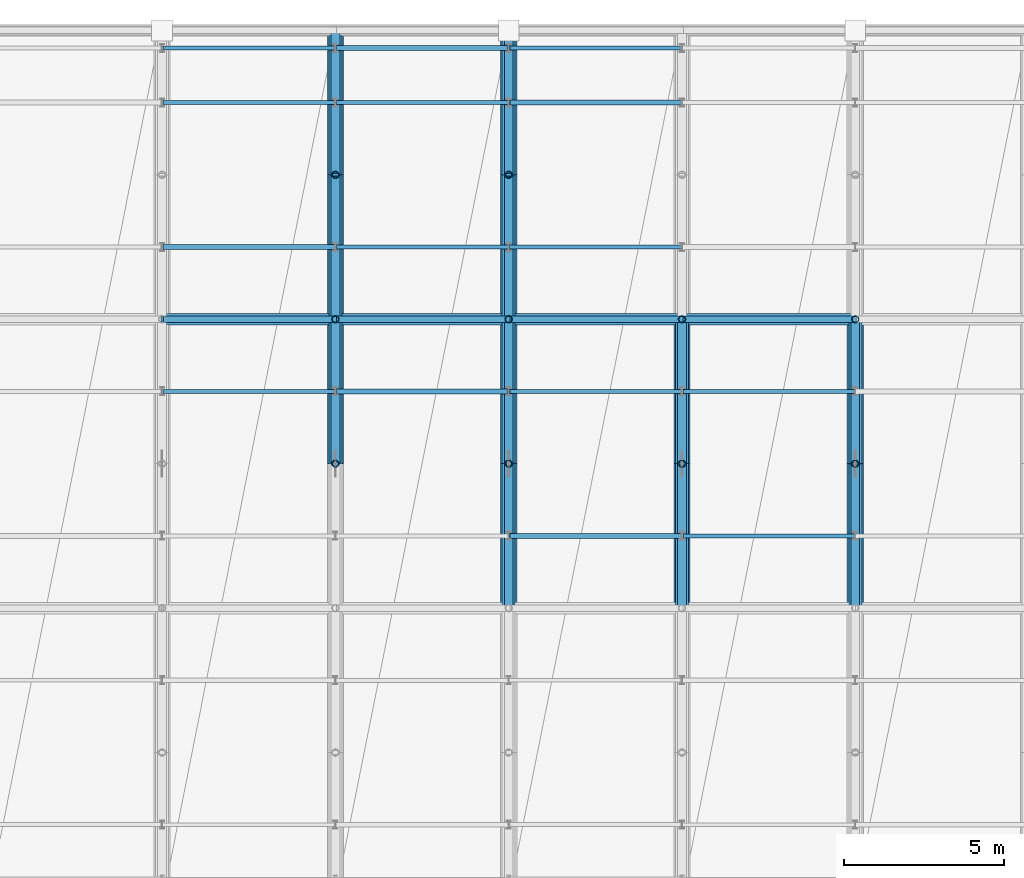
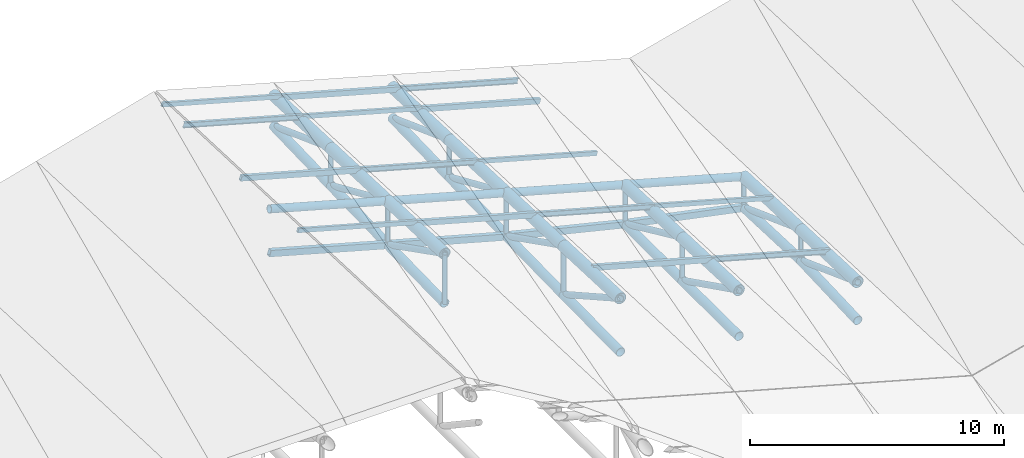
# One storey, part 26 of 109: 44 members, 22 beams.
"""IFC4 building model written with IfcOpenShell, lengths in metres."""

from ifc_helpers import new_model, si_unit, direction, frame, origin, origin_2d, place, context, subcontext, project, spatial, hollow_rectangle, hollow_circle, i_section, extrude, material, material_profile, profile_set, type_object, element, save


model = new_model("IFC4")

# Units and contexts
model_context = context("Model", 3, precision=1e-05, world=origin(), true_north=direction((0.0, 1.0)))
body_context = subcontext(model_context, "Body", "Model", "MODEL_VIEW")
ifc_project = project(units=[si_unit("LENGTHUNIT", "METRE"), si_unit("AREAUNIT", "SQUARE_METRE"), si_unit("VOLUMEUNIT", "CUBIC_METRE"), si_unit("PLANEANGLEUNIT", "RADIAN"), si_unit("MASSUNIT", "GRAM", prefix="KILO")], contexts=[model_context])

# Site, building, storey
site_placement = place(None, origin())
site = spatial("IfcSite", under=ifc_project, at=site_placement, CompositionType="ELEMENT")
building_placement = place(site_placement, origin())
building = spatial("IfcBuilding", under=site, at=building_placement, Name="Suirenkawa Promenade Aquatics Centre", CompositionType="ELEMENT")
storey_placement = place(building_placement, frame((0.0, 0.0, 22.800048828125)))
storey = spatial("IfcBuildingStorey", under=building, at=storey_placement, Name="ROOF", CompositionType="ELEMENT", Elevation=22.800048828125)

# Beams
ifc_material = material(Name="Steel IS 2062 E350 (Grade 350)", Category="steel")
ifc_material_profile_1 = material_profile(ifc_material, hollow_circle(Radius=0.202880859375, WallThickness=0.01806640625, at=origin_2d()), Name="CHS 406x18", Category="steel")
ifc_profile_set_1 = profile_set([ifc_material_profile_1], Name="Steel IS 2062 E350 (Grade 350)")
beam_type_1 = type_object("IfcBeamType", Name="BT-BC-CHS406", PredefinedType="BEAM", material=ifc_profile_set_1)
beam_1_placement = place(storey_placement, frame((73.800048828125, 108.89990234375, -7.630126953125), z_axis=(0.0, 0.999766955215, 0.021587849836), x_axis=(-1.0, 0.0, 0.0)))
element("IfcBeam", 1, at=beam_1_placement, inside=storey, type_object=beam_type_1, Name="ROOF TRUSS V1 bottom chord BC-01 BM-1970", PredefinedType="BEAM", context=body_context, shape_type="SweptSolid", body=[
    extrude(hollow_circle(Radius=0.202880859375, WallThickness=0.01806640625, at=origin_2d()), origin(), (0.0, 0.0, 1.0), 4.5009765625),
])
beam_2_placement = place(storey_placement, frame((73.800048828125, 113.39990234375, -7.532958984375), z_axis=(0.0, 0.999645385078, 0.026629008468), x_axis=(-1.0, 0.0, 0.0)))
element("IfcBeam", 2, at=beam_2_placement, inside=storey, type_object=beam_type_1, Name="ROOF TRUSS V1 bottom chord BC-01 BM-1972", PredefinedType="BEAM", context=body_context, shape_type="SweptSolid", body=[
    extrude(hollow_circle(Radius=0.202880859375, WallThickness=0.01806640625, at=origin_2d()), origin(), (0.0, 0.0, 1.0), 4.501708984375),
])
beam_3_placement = place(storey_placement, frame((73.800048828125, 117.89990234375, -7.4130859375), z_axis=(0.0, 0.999563148904, 0.029555225486), x_axis=(-1.0, 0.0, 0.0)))
element("IfcBeam", 3, at=beam_3_placement, inside=storey, type_object=beam_type_1, Name="ROOF TRUSS V1 bottom chord BC-01 BM-1974", PredefinedType="BEAM", context=body_context, shape_type="SweptSolid", body=[
    extrude(hollow_circle(Radius=0.202880859375, WallThickness=0.01806640625, at=origin_2d()), origin(), (0.0, 0.0, 1.0), 4.501953125),
])
beam_4_placement = place(storey_placement, frame((79.199951171875, 104.39990234375, -9.154052734375), z_axis=(0.0, 0.99992550252, 0.012206121857), x_axis=(-1.0, 0.0, 0.0)))
element("IfcBeam", 4, at=beam_4_placement, inside=storey, type_object=beam_type_1, Name="ROOF TRUSS V1 bottom chord BC-01 BM-1996", PredefinedType="BEAM", context=body_context, shape_type="SweptSolid", body=[
    extrude(hollow_circle(Radius=0.202880859375, WallThickness=0.01806640625, at=origin_2d()), origin(), (0.0, 0.0, 1.0), 4.500244140625),
])
beam_5_placement = place(storey_placement, frame((79.199951171875, 108.89990234375, -9.09912109375), z_axis=(0.0, 0.999812483562, 0.019364857673), x_axis=(-1.0, 0.0, 0.0)))
element("IfcBeam", 5, at=beam_5_placement, inside=storey, type_object=beam_type_1, Name="ROOF TRUSS V1 bottom chord BC-01 BM-1998", PredefinedType="BEAM", context=body_context, shape_type="SweptSolid", body=[
    extrude(hollow_circle(Radius=0.202880859375, WallThickness=0.01806640625, at=origin_2d()), origin(), (0.0, 0.0, 1.0), 4.500732421875),
])
beam_6_placement = place(storey_placement, frame((79.199951171875, 113.39990234375, -9.011962890625), z_axis=(0.0, 0.999702109937, 0.024406789793), x_axis=(-1.0, 0.0, 0.0)))
element("IfcBeam", 6, at=beam_6_placement, inside=storey, type_object=beam_type_1, Name="ROOF TRUSS V1 bottom chord BC-01 BM-2000", PredefinedType="BEAM", context=body_context, shape_type="SweptSolid", body=[
    extrude(hollow_circle(Radius=0.202880859375, WallThickness=0.01806640625, at=origin_2d()), origin(), (0.0, 0.0, 1.0), 4.501220703125),
])
beam_7_placement = place(storey_placement, frame((79.199951171875, 117.89990234375, -8.902099609375), z_axis=(0.0, 0.999632273028, 0.027116760879), x_axis=(-1.0, 0.0, 0.0)))
element("IfcBeam", 7, at=beam_7_placement, inside=storey, type_object=beam_type_1, Name="ROOF TRUSS V1 bottom chord BC-01 BM-2002", PredefinedType="BEAM", context=body_context, shape_type="SweptSolid", body=[
    extrude(hollow_circle(Radius=0.202880859375, WallThickness=0.01806640625, at=origin_2d()), origin(), (0.0, 0.0, 1.0), 4.501708984375),
])
for number, where, z_axis, x_axis, name in (
    (8, (84.60009765625, 104.39990234375, -10.281982421875), (0.0, 0.999983150708, -0.005805023716), (-1.0, 0.0, 0.0), "ROOF TRUSS V1 bottom chord BC-01 BM-2024"),
    (9, (84.60009765625, 108.89990234375, -10.30810546875), (0.0, 0.999999788072, -0.000651041529), (-1.0, 0.0, 0.0), "ROOF TRUSS V1 bottom chord BC-01 BM-2026"),
):
    element("IfcBeam", number, at=place(storey_placement, frame(where, z_axis=z_axis, x_axis=x_axis)), inside=storey, type_object=beam_type_1, Name=name, PredefinedType="BEAM", context=body_context, shape_type="SweptSolid", body=[
        extrude(hollow_circle(Radius=0.202880859375, WallThickness=0.01806640625, at=origin_2d()), origin(), (0.0, 0.0, 1.0), 4.5),
    ])
for number, where, z_axis, x_axis, name in (
    (10, (90.0, 104.39990234375, -11.4111328125), (0.0, 0.999190707649, 0.040223497454), (-1.0, 0.0, 0.0), "ROOF TRUSS V1 bottom chord BC-01 BM-2052"),
    (11, (90.0, 108.89990234375, -11.22998046875), (0.0, 0.999173184279, -0.040656460949), (-1.0, 0.0, 0.0), "ROOF TRUSS V1 bottom chord BC-01 BM-2054"),
):
    element("IfcBeam", number, at=place(storey_placement, frame(where, z_axis=z_axis, x_axis=x_axis)), inside=storey, type_object=beam_type_1, Name=name, PredefinedType="BEAM", context=body_context, shape_type="SweptSolid", body=[
        extrude(hollow_circle(Radius=0.202880859375, WallThickness=0.01806640625, at=origin_2d()), origin(), (0.0, 0.0, 1.0), 4.503662109375),
    ])
ifc_material_profile_2 = material_profile(ifc_material, hollow_circle(Radius=0.25390625, WallThickness=0.02392578125, at=origin_2d()), Name="CHS 508x24", Category="steel")
ifc_profile_set_2 = profile_set([ifc_material_profile_2], Name="Steel IS 2062 E350 (Grade 350)")
beam_type_2 = type_object("IfcBeamType", Name="BT-TC-CHS508", PredefinedType="BEAM", material=ifc_profile_set_2)
for number, where, z_axis, x_axis, name in (
    (12, (73.800048828125, 108.89990234375, -5.25), (0.0, 0.999173184279, -0.040656460949), (-1.0, 0.0, 0.0), "ROOF TRUSS V1 top chord TC-02 BM-1969"),
    (13, (73.800048828125, 113.39990234375, -5.43310546875), (0.0, 0.999166564808, -0.040818816368), (-1.0, 0.0, 0.0), "ROOF TRUSS V1 top chord TC-02 BM-1971"),
    (14, (73.800048828125, 117.89990234375, -5.616943359375), (0.0, 0.999173184279, -0.040656460949), (-1.0, 0.0, 0.0), "ROOF TRUSS V1 top chord TC-02 BM-1973"),
    (15, (79.199951171875, 104.39990234375, -6.567138671875), (0.0, 0.999175384927, -0.040602341759), (-1.0, 0.0, 0.0), "ROOF TRUSS V1 top chord TC-02 BM-1995"),
    (16, (79.199951171875, 108.89990234375, -6.75), (0.0, 0.999173184279, -0.040656460949), (-1.0, 0.0, 0.0), "ROOF TRUSS V1 top chord TC-02 BM-1997"),
    (17, (79.199951171875, 113.39990234375, -6.93310546875), (0.0, 0.999166564808, -0.040818816368), (-1.0, 0.0, 0.0), "ROOF TRUSS V1 top chord TC-02 BM-1999"),
    (18, (79.199951171875, 117.89990234375, -7.116943359375), (0.0, 0.999173184279, -0.040656460949), (-1.0, 0.0, 0.0), "ROOF TRUSS V1 top chord TC-02 BM-2001"),
    (19, (84.60009765625, 104.39990234375, -8.067138671875), (0.0, 0.999175384927, -0.040602341759), (-1.0, 0.0, 0.0), "ROOF TRUSS V1 top chord TC-02 BM-2023"),
    (20, (84.60009765625, 108.89990234375, -8.25), (0.0, 0.999173184279, -0.040656460949), (-1.0, 0.0, 0.0), "ROOF TRUSS V1 top chord TC-02 BM-2025"),
    (21, (90.0, 104.39990234375, -9.567138671875), (0.0, 0.999175384927, -0.040602341759), (-1.0, 0.0, 0.0), "ROOF TRUSS V1 top chord TC-02 BM-2051"),
    (22, (90.0, 108.89990234375, -9.75), (0.0, 0.999173184279, -0.040656460949), (-1.0, 0.0, 0.0), "ROOF TRUSS V1 top chord TC-02 BM-2053"),
):
    element("IfcBeam", number, at=place(storey_placement, frame(where, z_axis=z_axis, x_axis=x_axis)), inside=storey, type_object=beam_type_2, Name=name, PredefinedType="BEAM", context=body_context, shape_type="SweptSolid", body=[
        extrude(hollow_circle(Radius=0.25390625, WallThickness=0.02392578125, at=origin_2d()), origin(), (0.0, 0.0, 1.0), 4.503662109375),
    ])

# Members
ifc_material_profile_3 = material_profile(ifc_material, hollow_circle(Radius=0.177978515625, WallThickness=0.01611328125, at=origin_2d()), Name="CHS 356x16", Category="steel")
ifc_profile_set_3 = profile_set([ifc_material_profile_3], Name="Steel IS 2062 E350 (Grade 350)")
member_type_1 = type_object("IfcMemberType", Name="MT-CHORD-CHS356", PredefinedType="CHORD", material=ifc_profile_set_3)
member_1_placement = place(storey_placement, frame((68.39990234375, 113.39990234375, -3.93310546875), z_axis=(0.963519781844, 0.0, -0.267637123724), x_axis=(0.0, 1.0, 0.0)))
element("IfcMember", 23, at=member_1_placement, inside=storey, type_object=member_type_1, Name="ROOF TRUSS V1 tie chord CH-02 MB-0896", PredefinedType="CHORD", context=body_context, shape_type="SweptSolid", body=[
    extrude(hollow_circle(Radius=0.177978515625, WallThickness=0.01611328125, at=origin_2d()), origin(), (0.0, 0.0, 1.0), 5.6044921875),
])
member_2_placement = place(storey_placement, frame((73.800048828125, 113.39990234375, -5.43310546875), z_axis=(0.963516661409, 0.0, -0.267648357342), x_axis=(0.0, 1.0, 0.0)))
element("IfcMember", 24, at=member_2_placement, inside=storey, type_object=member_type_1, Name="ROOF TRUSS V1 tie chord CH-02 MB-0898", PredefinedType="CHORD", context=body_context, shape_type="SweptSolid", body=[
    extrude(hollow_circle(Radius=0.177978515625, WallThickness=0.01611328125, at=origin_2d()), origin(), (0.0, 0.0, 1.0), 5.604248046875),
])
member_3_placement = place(storey_placement, frame((79.199951171875, 113.39990234375, -6.93310546875), z_axis=(0.963519781844, 0.0, -0.267637123724), x_axis=(0.0, 1.0, 0.0)))
element("IfcMember", 25, at=member_3_placement, inside=storey, type_object=member_type_1, Name="ROOF TRUSS V1 tie chord CH-02 MB-0900", PredefinedType="CHORD", context=body_context, shape_type="SweptSolid", body=[
    extrude(hollow_circle(Radius=0.177978515625, WallThickness=0.01611328125, at=origin_2d()), origin(), (0.0, 0.0, 1.0), 5.6044921875),
])
member_4_placement = place(storey_placement, frame((84.60009765625, 113.39990234375, -8.43310546875), z_axis=(0.963516661409, 0.0, -0.267648357342), x_axis=(0.0, 1.0, 0.0)))
element("IfcMember", 26, at=member_4_placement, inside=storey, type_object=member_type_1, Name="ROOF TRUSS V1 tie chord CH-02 MB-0902", PredefinedType="CHORD", context=body_context, shape_type="SweptSolid", body=[
    extrude(hollow_circle(Radius=0.177978515625, WallThickness=0.01611328125, at=origin_2d()), origin(), (0.0, 0.0, 1.0), 5.604248046875),
])
ifc_material_profile_4 = material_profile(ifc_material, hollow_rectangle(XDim=0.199951171875, YDim=0.300048828125, WallThickness=0.011962890625, at=origin_2d()), Name="RHS 300x200x12", Category="steel")
ifc_profile_set_4 = profile_set([ifc_material_profile_4], Name="Steel IS 2062 E350 (Grade 350)")
member_type_2 = type_object("IfcMemberType", Name="MT-CHORD-RHS300", PredefinedType="CHORD", material=ifc_profile_set_4)
member_5_placement = place(storey_placement, frame((68.39990234375, 113.39990234375, -6.032958984375), z_axis=(0.963519781844, 0.0, -0.267637123724), x_axis=(0.0, 1.0, 0.0)))
element("IfcMember", 27, at=member_5_placement, inside=storey, type_object=member_type_2, Name="ROOF TRUSS V1 bottom tie CH-03 MB-0897", PredefinedType="CHORD", context=body_context, shape_type="SweptSolid", body=[
    extrude(hollow_rectangle(XDim=0.199951171875, YDim=0.300048828125, WallThickness=0.011962890625, at=origin_2d()), origin(), (0.0, 0.0, 1.0), 5.6044921875),
])
member_6_placement = place(storey_placement, frame((73.800048828125, 113.39990234375, -7.532958984375), z_axis=(0.96447746515, 0.0, -0.264165136264), x_axis=(0.0, 1.0, 0.0)))
element("IfcMember", 28, at=member_6_placement, inside=storey, type_object=member_type_2, Name="ROOF TRUSS V1 bottom tie CH-03 MB-0899", PredefinedType="CHORD", context=body_context, shape_type="SweptSolid", body=[
    extrude(hollow_rectangle(XDim=0.199951171875, YDim=0.300048828125, WallThickness=0.011962890625, at=origin_2d()), origin(), (0.0, 0.0, 1.0), 5.598876953125),
])
member_7_placement = place(storey_placement, frame((79.199951171875, 113.39990234375, -9.011962890625), z_axis=(0.972263076896, 0.0, -0.233889951271), x_axis=(0.0, 1.0, 0.0)))
element("IfcMember", 29, at=member_7_placement, inside=storey, type_object=member_type_2, Name="ROOF TRUSS V1 bottom tie CH-03 MB-0901", PredefinedType="CHORD", context=body_context, shape_type="SweptSolid", body=[
    extrude(hollow_rectangle(XDim=0.199951171875, YDim=0.300048828125, WallThickness=0.011962890625, at=origin_2d()), origin(), (0.0, 0.0, 1.0), 5.55419921875),
])
member_8_placement = place(storey_placement, frame((84.60009765625, 113.39990234375, -10.31103515625), z_axis=(0.979802996018, 0.0, -0.19996521946), x_axis=(0.0, 1.0, 0.0)))
element("IfcMember", 30, at=member_8_placement, inside=storey, type_object=member_type_2, Name="ROOF TRUSS V1 bottom tie CH-03 MB-0903", PredefinedType="CHORD", context=body_context, shape_type="SweptSolid", body=[
    extrude(hollow_rectangle(XDim=0.199951171875, YDim=0.300048828125, WallThickness=0.011962890625, at=origin_2d()), origin(), (0.0, 0.0, 1.0), 5.51123046875),
])
ifc_material_profile_5 = material_profile(ifc_material, i_section(OverallWidth=0.125, OverallDepth=0.25, WebThickness=0.007080078125, FlangeThickness=0.012939453125, at=origin_2d()), Name="ISMB 250", Category="steel")
ifc_profile_set_5 = profile_set([ifc_material_profile_5], Name="Steel IS 2062 E350 (Grade 350)")
member_type_3 = type_object("IfcMemberType", Name="MT-PURLIN-ISMB250", PredefinedType="PURLIN", material=ifc_profile_set_5)
member_9_placement = place(storey_placement, frame((68.39990234375, 120.14990234375, -3.97998046875), z_axis=(0.963519781844, 0.0, -0.267637123724), x_axis=(0.0, 1.0, 0.0)))
element("IfcMember", 31, at=member_9_placement, inside=storey, type_object=member_type_3, Name="ROOF TRUSS Roof purlin PU-04 MB-1863", PredefinedType="PURLIN", context=body_context, shape_type="SweptSolid", body=[
    extrude(i_section(OverallWidth=0.125, OverallDepth=0.25, WebThickness=0.007080078125, FlangeThickness=0.012939453125, at=origin_2d()), origin(), (0.0, 0.0, 1.0), 5.6044921875),
])
member_10_placement = place(storey_placement, frame((73.800048828125, 115.64990234375, -5.297119140625), z_axis=(0.963516661409, 0.0, -0.267648357342), x_axis=(0.0, 1.0, 0.0)))
element("IfcMember", 32, at=member_10_placement, inside=storey, type_object=member_type_3, Name="ROOF TRUSS Roof purlin PU-04 MB-1897", PredefinedType="PURLIN", context=body_context, shape_type="SweptSolid", body=[
    extrude(i_section(OverallWidth=0.125, OverallDepth=0.25, WebThickness=0.007080078125, FlangeThickness=0.012939453125, at=origin_2d()), origin(), (0.0, 0.0, 1.0), 5.604248046875),
])
for number, where, z_axis, x_axis, name in (
    (33, (79.199951171875, 111.14990234375, -6.613037109375), (0.963519781844, 0.0, -0.267637123724), (0.0, 1.0, 0.0), "ROOF TRUSS Roof purlin PU-04 MB-1931"),
    (34, (79.199951171875, 121.85009765625, -7.049072265625), (0.963519781844, 0.0, -0.267637123724), (0.0, 1.0, 0.0), "ROOF TRUSS Roof purlin PU-04 MB-1937"),
):
    element("IfcMember", number, at=place(storey_placement, frame(where, z_axis=z_axis, x_axis=x_axis)), inside=storey, type_object=member_type_3, Name=name, PredefinedType="PURLIN", context=body_context, shape_type="SweptSolid", body=[
        extrude(i_section(OverallWidth=0.125, OverallDepth=0.25, WebThickness=0.007080078125, FlangeThickness=0.012939453125, at=origin_2d()), origin(), (0.0, 0.0, 1.0), 5.6044921875),
    ])
member_11_placement = place(storey_placement, frame((84.60009765625, 106.64990234375, -7.929931640625), z_axis=(0.963516661409, 0.0, -0.267648357342), x_axis=(0.0, 1.0, 0.0)))
element("IfcMember", 35, at=member_11_placement, inside=storey, type_object=member_type_3, Name="ROOF TRUSS Roof purlin PU-04 MB-1965", PredefinedType="PURLIN", context=body_context, shape_type="SweptSolid", body=[
    extrude(i_section(OverallWidth=0.125, OverallDepth=0.25, WebThickness=0.007080078125, FlangeThickness=0.012939453125, at=origin_2d()), origin(), (0.0, 0.0, 1.0), 5.604248046875),
])
ifc_material_profile_6 = material_profile(ifc_material, hollow_rectangle(XDim=0.1201171875, YDim=0.199951171875, WallThickness=0.008056640625, at=origin_2d()), Name="RHS 200x120x8", Category="steel")
ifc_profile_set_6 = profile_set([ifc_material_profile_6], Name="Steel IS 2062 E350 (Grade 350)")
member_type_4 = type_object("IfcMemberType", Name="MT-PURLIN-RHS200", PredefinedType="PURLIN", material=ifc_profile_set_6)
for number, where, z_axis, x_axis, name in (
    (36, (68.39990234375, 111.14990234375, -3.588134765625), (0.963519781844, 0.0, -0.267637123724), (0.0, 1.0, 0.0), "ROOF TRUSS Roof purlin PU-02 MB-1859"),
    (37, (68.39990234375, 121.85009765625, -4.024169921875), (0.963519781844, 0.0, -0.267637123724), (0.0, 1.0, 0.0), "ROOF TRUSS Roof purlin PU-02 MB-1865"),
):
    element("IfcMember", number, at=place(storey_placement, frame(where, z_axis=z_axis, x_axis=x_axis)), inside=storey, type_object=member_type_4, Name=name, PredefinedType="PURLIN", context=body_context, shape_type="SweptSolid", body=[
        extrude(hollow_rectangle(XDim=0.1201171875, YDim=0.199951171875, WallThickness=0.008056640625, at=origin_2d()), origin(), (0.0, 0.0, 1.0), 5.6044921875),
    ])
member_12_placement = place(storey_placement, frame((73.800048828125, 120.14990234375, -5.455078125), z_axis=(0.963516661409, 0.0, -0.267648357342), x_axis=(0.0, 1.0, 0.0)))
element("IfcMember", 38, at=member_12_placement, inside=storey, type_object=member_type_4, Name="ROOF TRUSS Roof purlin PU-02 MB-1899", PredefinedType="PURLIN", context=body_context, shape_type="SweptSolid", body=[
    extrude(hollow_rectangle(XDim=0.1201171875, YDim=0.199951171875, WallThickness=0.008056640625, at=origin_2d()), origin(), (0.0, 0.0, 1.0), 5.604248046875),
])
member_13_placement = place(storey_placement, frame((79.199951171875, 115.64990234375, -6.77197265625), z_axis=(0.963519781844, 0.0, -0.267637123724), x_axis=(0.0, 1.0, 0.0)))
element("IfcMember", 39, at=member_13_placement, inside=storey, type_object=member_type_4, Name="ROOF TRUSS Roof purlin PU-02 MB-1933", PredefinedType="PURLIN", context=body_context, shape_type="SweptSolid", body=[
    extrude(hollow_rectangle(XDim=0.1201171875, YDim=0.199951171875, WallThickness=0.008056640625, at=origin_2d()), origin(), (0.0, 0.0, 1.0), 5.6044921875),
])
member_14_placement = place(storey_placement, frame((84.60009765625, 111.14990234375, -8.088134765625), z_axis=(0.963516661409, 0.0, -0.267648357342), x_axis=(0.0, 1.0, 0.0)))
element("IfcMember", 40, at=member_14_placement, inside=storey, type_object=member_type_4, Name="ROOF TRUSS Roof purlin PU-02 MB-1967", PredefinedType="PURLIN", context=body_context, shape_type="SweptSolid", body=[
    extrude(hollow_rectangle(XDim=0.1201171875, YDim=0.199951171875, WallThickness=0.008056640625, at=origin_2d()), origin(), (0.0, 0.0, 1.0), 5.604248046875),
])
ifc_material_profile_7 = material_profile(ifc_material, hollow_rectangle(XDim=0.14990234375, YDim=0.25, WallThickness=0.010009765625, at=origin_2d()), Name="RHS 250x150x10", Category="steel")
ifc_profile_set_7 = profile_set([ifc_material_profile_7], Name="Steel IS 2062 E350 (Grade 350)")
member_type_5 = type_object("IfcMemberType", Name="MT-PURLIN-RHS250", PredefinedType="PURLIN", material=ifc_profile_set_7)
member_15_placement = place(storey_placement, frame((68.39990234375, 115.64990234375, -3.797119140625), z_axis=(0.963519781844, 0.0, -0.267637123724), x_axis=(0.0, 1.0, 0.0)))
element("IfcMember", 41, at=member_15_placement, inside=storey, type_object=member_type_5, Name="ROOF TRUSS Roof purlin PU-03 MB-1861", PredefinedType="PURLIN", context=body_context, shape_type="SweptSolid", body=[
    extrude(hollow_rectangle(XDim=0.14990234375, YDim=0.25, WallThickness=0.010009765625, at=origin_2d()), origin(), (0.0, 0.0, 1.0), 5.6044921875),
])
for number, where, z_axis, x_axis, name in (
    (42, (73.800048828125, 111.14990234375, -5.114013671875), (0.963516661409, 0.0, -0.267648357342), (0.0, 1.0, 0.0), "ROOF TRUSS Roof purlin PU-03 MB-1895"),
    (43, (73.800048828125, 121.85009765625, -5.550048828125), (0.963516661409, 0.0, -0.267648357342), (0.0, 1.0, 0.0), "ROOF TRUSS Roof purlin PU-03 MB-1901"),
):
    element("IfcMember", number, at=place(storey_placement, frame(where, z_axis=z_axis, x_axis=x_axis)), inside=storey, type_object=member_type_5, Name=name, PredefinedType="PURLIN", context=body_context, shape_type="SweptSolid", body=[
        extrude(hollow_rectangle(XDim=0.14990234375, YDim=0.25, WallThickness=0.010009765625, at=origin_2d()), origin(), (0.0, 0.0, 1.0), 5.604248046875),
    ])
for number, where, z_axis, x_axis, name in (
    (44, (79.199951171875, 106.64990234375, -6.43115234375), (0.963519781844, 0.0, -0.267637123724), (0.0, 1.0, 0.0), "ROOF TRUSS Roof purlin PU-03 MB-1929"),
    (45, (79.199951171875, 120.14990234375, -6.98095703125), (0.963519781844, 0.0, -0.267637123724), (0.0, 1.0, 0.0), "ROOF TRUSS Roof purlin PU-03 MB-1935"),
):
    element("IfcMember", number, at=place(storey_placement, frame(where, z_axis=z_axis, x_axis=x_axis)), inside=storey, type_object=member_type_5, Name=name, PredefinedType="PURLIN", context=body_context, shape_type="SweptSolid", body=[
        extrude(hollow_rectangle(XDim=0.14990234375, YDim=0.25, WallThickness=0.010009765625, at=origin_2d()), origin(), (0.0, 0.0, 1.0), 5.6044921875),
    ])
ifc_material_profile_8 = material_profile(ifc_material, hollow_circle(Radius=0.110107421875, WallThickness=0.010009765625, at=origin_2d()), Name="CHS 220x10", Category="steel")
ifc_profile_set_8 = profile_set([ifc_material_profile_8], Name="Steel IS 2062 E350 (Grade 350)")
member_type_6 = type_object("IfcMemberType", Name="MT-WEB-CHS220", PredefinedType="BRACE", material=ifc_profile_set_8)
member_16_placement = place(storey_placement, frame((73.800048828125, 108.89990234375, -7.630126953125), z_axis=(0.0, 0.0, 1.0), x_axis=(1.0, 0.0, 0.0)))
element("IfcMember", 46, at=member_16_placement, inside=storey, type_object=member_type_6, Name="ROOF TRUSS V1 web post TD-01 MB-0160", PredefinedType="BRACE", context=body_context, shape_type="SweptSolid", body=[
    extrude(hollow_circle(Radius=0.110107421875, WallThickness=0.010009765625, at=origin_2d()), origin(), (0.0, 0.0, 1.0), 2.380126953125),
])
member_17_placement = place(storey_placement, frame((73.800048828125, 113.39990234375, -7.532958984375), z_axis=(0.0, 0.0, 1.0), x_axis=(1.0, 0.0, 0.0)))
element("IfcMember", 47, at=member_17_placement, inside=storey, type_object=member_type_6, Name="ROOF TRUSS V1 web post TD-01 MB-0161", PredefinedType="BRACE", context=body_context, shape_type="SweptSolid", body=[
    extrude(hollow_circle(Radius=0.110107421875, WallThickness=0.010009765625, at=origin_2d()), origin(), (0.0, 0.0, 1.0), 2.099853515625),
])
member_18_placement = place(storey_placement, frame((73.800048828125, 117.89990234375, -7.4130859375), z_axis=(0.0, 0.0, 1.0), x_axis=(1.0, 0.0, 0.0)))
element("IfcMember", 48, at=member_18_placement, inside=storey, type_object=member_type_6, Name="ROOF TRUSS V1 web post TD-01 MB-0162", PredefinedType="BRACE", context=body_context, shape_type="SweptSolid", body=[
    extrude(hollow_circle(Radius=0.110107421875, WallThickness=0.010009765625, at=origin_2d()), origin(), (0.0, 0.0, 1.0), 1.796142578125),
])
member_19_placement = place(storey_placement, frame((79.199951171875, 108.89990234375, -9.09912109375), z_axis=(0.0, 0.0, 1.0), x_axis=(1.0, 0.0, 0.0)))
element("IfcMember", 49, at=member_19_placement, inside=storey, type_object=member_type_6, Name="ROOF TRUSS V1 web post TD-01 MB-0187", PredefinedType="BRACE", context=body_context, shape_type="SweptSolid", body=[
    extrude(hollow_circle(Radius=0.110107421875, WallThickness=0.010009765625, at=origin_2d()), origin(), (0.0, 0.0, 1.0), 2.34912109375),
])
member_20_placement = place(storey_placement, frame((79.199951171875, 113.39990234375, -9.011962890625), z_axis=(0.0, 0.0, 1.0), x_axis=(1.0, 0.0, 0.0)))
element("IfcMember", 50, at=member_20_placement, inside=storey, type_object=member_type_6, Name="ROOF TRUSS V1 web post TD-01 MB-0188", PredefinedType="BRACE", context=body_context, shape_type="SweptSolid", body=[
    extrude(hollow_circle(Radius=0.110107421875, WallThickness=0.010009765625, at=origin_2d()), origin(), (0.0, 0.0, 1.0), 2.078857421875),
])
member_21_placement = place(storey_placement, frame((79.199951171875, 117.89990234375, -8.902099609375), z_axis=(0.0, 0.0, 1.0), x_axis=(1.0, 0.0, 0.0)))
element("IfcMember", 51, at=member_21_placement, inside=storey, type_object=member_type_6, Name="ROOF TRUSS V1 web post TD-01 MB-0189", PredefinedType="BRACE", context=body_context, shape_type="SweptSolid", body=[
    extrude(hollow_circle(Radius=0.110107421875, WallThickness=0.010009765625, at=origin_2d()), origin(), (0.0, 0.0, 1.0), 1.78515625),
])
member_22_placement = place(storey_placement, frame((84.60009765625, 108.89990234375, -10.30810546875), z_axis=(0.0, 0.0, 1.0), x_axis=(1.0, 0.0, 0.0)))
element("IfcMember", 52, at=member_22_placement, inside=storey, type_object=member_type_6, Name="ROOF TRUSS V1 web post TD-01 MB-0214", PredefinedType="BRACE", context=body_context, shape_type="SweptSolid", body=[
    extrude(hollow_circle(Radius=0.110107421875, WallThickness=0.010009765625, at=origin_2d()), origin(), (0.0, 0.0, 1.0), 2.05810546875),
])
member_23_placement = place(storey_placement, frame((84.60009765625, 113.39990234375, -10.31103515625), z_axis=(0.0, 0.0, 1.0), x_axis=(1.0, 0.0, 0.0)))
element("IfcMember", 53, at=member_23_placement, inside=storey, type_object=member_type_6, Name="ROOF TRUSS V1 web post TD-01 MB-0215", PredefinedType="BRACE", context=body_context, shape_type="SweptSolid", body=[
    extrude(hollow_circle(Radius=0.110107421875, WallThickness=0.010009765625, at=origin_2d()), origin(), (0.0, 0.0, 1.0), 1.8779296875),
])
for number, where, z_axis, x_axis, name in (
    (54, (90.0, 108.89990234375, -11.22998046875), (0.0, 0.0, 1.0), (1.0, 0.0, 0.0), "ROOF TRUSS V1 web post TD-01 MB-0241"),
    (55, (90.0, 113.39990234375, -11.4130859375), (0.0, 0.0, 1.0), (1.0, 0.0, 0.0), "ROOF TRUSS V1 web post TD-01 MB-0242"),
):
    element("IfcMember", number, at=place(storey_placement, frame(where, z_axis=z_axis, x_axis=x_axis)), inside=storey, type_object=member_type_6, Name=name, PredefinedType="BRACE", context=body_context, shape_type="SweptSolid", body=[
        extrude(hollow_circle(Radius=0.110107421875, WallThickness=0.010009765625, at=origin_2d()), origin(), (0.0, 0.0, 1.0), 1.47998046875),
    ])
ifc_material_profile_9 = material_profile(ifc_material, hollow_circle(Radius=0.136962890625, WallThickness=0.011962890625, at=origin_2d()), Name="CHS 274x12", Category="steel")
ifc_profile_set_9 = profile_set([ifc_material_profile_9], Name="Steel IS 2062 E350 (Grade 350)")
member_type_7 = type_object("IfcMemberType", Name="MT-WEB-CHS274", PredefinedType="BRACE", material=ifc_profile_set_9)
member_24_placement = place(storey_placement, frame((73.800048828125, 108.89990234375, -5.25), z_axis=(0.0, 0.891799234032, -0.452431349687), x_axis=(-1.0, 0.0, 0.0)))
element("IfcMember", 56, at=member_24_placement, inside=storey, type_object=member_type_7, Name="ROOF TRUSS V1 web diagonal TD-02 MB-0147", PredefinedType="BRACE", context=body_context, shape_type="SweptSolid", body=[
    extrude(hollow_circle(Radius=0.136962890625, WallThickness=0.011962890625, at=origin_2d()), origin(), (0.0, 0.0, 1.0), 5.0458984375),
])
member_25_placement = place(storey_placement, frame((73.800048828125, 113.39990234375, -5.43310546875), z_axis=(0.0, 0.915316496894, -0.402735285906), x_axis=(-1.0, 0.0, 0.0)))
element("IfcMember", 57, at=member_25_placement, inside=storey, type_object=member_type_7, Name="ROOF TRUSS V1 web diagonal TD-02 MB-0148", PredefinedType="BRACE", context=body_context, shape_type="SweptSolid", body=[
    extrude(hollow_circle(Radius=0.136962890625, WallThickness=0.011962890625, at=origin_2d()), origin(), (0.0, 0.0, 1.0), 4.916259765625),
])
member_26_placement = place(storey_placement, frame((73.800048828125, 117.89990234375, -5.616943359375), z_axis=(0.0, 0.937991621065, -0.346657927664), x_axis=(-1.0, 0.0, 0.0)))
element("IfcMember", 58, at=member_26_placement, inside=storey, type_object=member_type_7, Name="ROOF TRUSS V1 web diagonal TD-02 MB-0149", PredefinedType="BRACE", context=body_context, shape_type="SweptSolid", body=[
    extrude(hollow_circle(Radius=0.136962890625, WallThickness=0.011962890625, at=origin_2d()), origin(), (0.0, 0.0, 1.0), 4.79736328125),
])
member_27_placement = place(storey_placement, frame((79.199951171875, 104.39990234375, -6.567138671875), z_axis=(0.0, 0.871514918799, -0.490368989956), x_axis=(-1.0, 0.0, 0.0)))
element("IfcMember", 59, at=member_27_placement, inside=storey, type_object=member_type_7, Name="ROOF TRUSS V1 web diagonal TD-02 MB-0173", PredefinedType="BRACE", context=body_context, shape_type="SweptSolid", body=[
    extrude(hollow_circle(Radius=0.136962890625, WallThickness=0.011962890625, at=origin_2d()), origin(), (0.0, 0.0, 1.0), 5.163330078125),
])
member_28_placement = place(storey_placement, frame((79.199951171875, 108.89990234375, -6.75), z_axis=(0.0, 0.893475079694, -0.449112771992), x_axis=(-1.0, 0.0, 0.0)))
element("IfcMember", 60, at=member_28_placement, inside=storey, type_object=member_type_7, Name="ROOF TRUSS V1 web diagonal TD-02 MB-0174", PredefinedType="BRACE", context=body_context, shape_type="SweptSolid", body=[
    extrude(hollow_circle(Radius=0.136962890625, WallThickness=0.011962890625, at=origin_2d()), origin(), (0.0, 0.0, 1.0), 5.03662109375),
])
member_29_placement = place(storey_placement, frame((79.199951171875, 113.39990234375, -6.93310546875), z_axis=(0.0, 0.916139082092, -0.400860552142), x_axis=(-1.0, 0.0, 0.0)))
element("IfcMember", 61, at=member_29_placement, inside=storey, type_object=member_type_7, Name="ROOF TRUSS V1 web diagonal TD-02 MB-0175", PredefinedType="BRACE", context=body_context, shape_type="SweptSolid", body=[
    extrude(hollow_circle(Radius=0.136962890625, WallThickness=0.011962890625, at=origin_2d()), origin(), (0.0, 0.0, 1.0), 4.911865234375),
])
member_30_placement = place(storey_placement, frame((79.199951171875, 117.89990234375, -7.116943359375), z_axis=(0.0, 0.937991621065, -0.346657927664), x_axis=(-1.0, 0.0, 0.0)))
element("IfcMember", 62, at=member_30_placement, inside=storey, type_object=member_type_7, Name="ROOF TRUSS V1 web diagonal TD-02 MB-0176", PredefinedType="BRACE", context=body_context, shape_type="SweptSolid", body=[
    extrude(hollow_circle(Radius=0.136962890625, WallThickness=0.011962890625, at=origin_2d()), origin(), (0.0, 0.0, 1.0), 4.79736328125),
])
member_31_placement = place(storey_placement, frame((84.60009765625, 104.39990234375, -8.067138671875), z_axis=(0.0, 0.895144793573, -0.445775502399), x_axis=(-1.0, 0.0, 0.0)))
element("IfcMember", 63, at=member_31_placement, inside=storey, type_object=member_type_7, Name="ROOF TRUSS V1 web diagonal TD-02 MB-0200", PredefinedType="BRACE", context=body_context, shape_type="SweptSolid", body=[
    extrude(hollow_circle(Radius=0.136962890625, WallThickness=0.011962890625, at=origin_2d()), origin(), (0.0, 0.0, 1.0), 5.027099609375),
])
member_32_placement = place(storey_placement, frame((84.60009765625, 108.89990234375, -8.25), z_axis=(0.0, 0.909176888112, -0.4164101177), x_axis=(-1.0, 0.0, 0.0)))
element("IfcMember", 64, at=member_32_placement, inside=storey, type_object=member_type_7, Name="ROOF TRUSS V1 web diagonal TD-02 MB-0201", PredefinedType="BRACE", context=body_context, shape_type="SweptSolid", body=[
    extrude(hollow_circle(Radius=0.136962890625, WallThickness=0.011962890625, at=origin_2d()), origin(), (0.0, 0.0, 1.0), 4.949462890625),
])
for number, where, z_axis, x_axis, name in (
    (65, (90.0, 104.39990234375, -9.567138671875), (0.0, 0.938008167567, -0.346613152631), (-1.0, 0.0, 0.0), "ROOF TRUSS V1 web diagonal TD-02 MB-0227"),
    (66, (90.0, 108.89990234375, -9.75), (0.0, 0.937991621065, -0.346657927664), (-1.0, 0.0, 0.0), "ROOF TRUSS V1 web diagonal TD-02 MB-0228"),
):
    element("IfcMember", number, at=place(storey_placement, frame(where, z_axis=z_axis, x_axis=x_axis)), inside=storey, type_object=member_type_7, Name=name, PredefinedType="BRACE", context=body_context, shape_type="SweptSolid", body=[
        extrude(hollow_circle(Radius=0.136962890625, WallThickness=0.011962890625, at=origin_2d()), origin(), (0.0, 0.0, 1.0), 4.79736328125),
    ])

save(model, "model.ifc")
